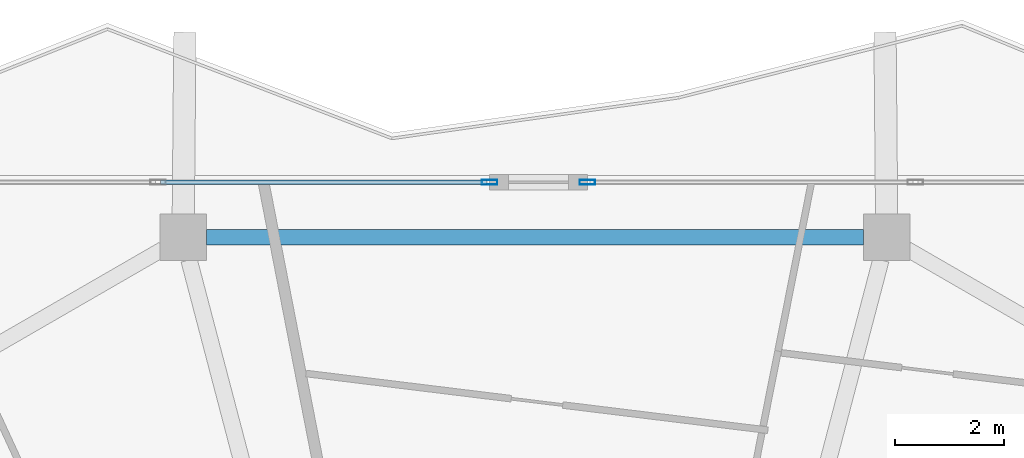
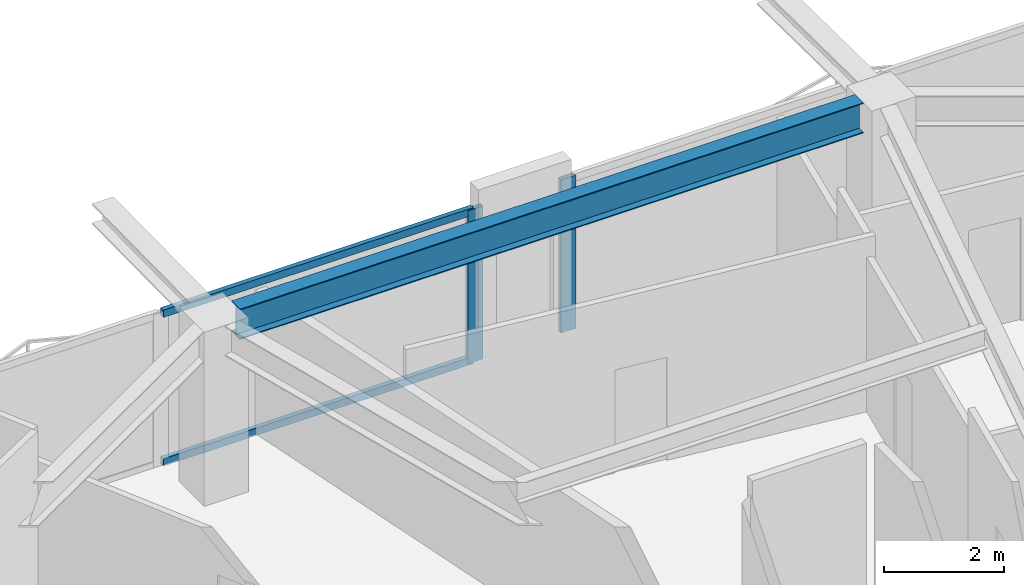
# One storey, part 14 of 27: 4 members, 1 beam, 2 elements without a shape of their own.
"""IFC4 building model written with IfcOpenShell, lengths in metres."""

from ifc_helpers import new_model, si_unit, direction, frame, origin, origin_2d, place, context, subcontext, project, spatial, hollow_rectangle, i_section, extrude, material, material_profile, profile_set, type_object, element, aggregate, save


model = new_model("IFC4")

# Units and contexts
model_context = context("Model", 3, precision=1e-05, world=origin(), true_north=direction((0.0, 1.0)))
body_context = subcontext(model_context, "Body", "Model", "MODEL_VIEW")
ifc_project = project(units=[si_unit("LENGTHUNIT", "METRE"), si_unit("AREAUNIT", "SQUARE_METRE"), si_unit("VOLUMEUNIT", "CUBIC_METRE"), si_unit("PLANEANGLEUNIT", "RADIAN"), si_unit("MASSUNIT", "GRAM", prefix="KILO")], contexts=[model_context])

# Site, building, storey
site_placement = place(None, origin())
site = spatial("IfcSite", under=ifc_project, at=site_placement, CompositionType="ELEMENT")
building_placement = place(site_placement, origin())
building = spatial("IfcBuilding", under=site, at=building_placement, Name="Zuhravey Tower", CompositionType="ELEMENT")
storey_placement = place(building_placement, frame((0.0, 0.0, 265.39990234375)))
storey = spatial("IfcBuildingStorey", under=building, at=storey_placement, Name="L67", CompositionType="ELEMENT", Elevation=265.39990234375)

# Curtain wall, member
ifc_material_1 = material(Name="Thermally broken anodised aluminium", Category="aluminium")
curtain_wall_type = type_object("IfcCurtainWallType", Name="Zone 3-4 High-Rise Curtain Wall CW4", PredefinedType="NOTDEFINED", material=ifc_material_1)
curtain_wall_1_placement = place(storey_placement, origin())
curtain_wall_1 = element("IfcCurtainWall", 1, at=curtain_wall_1_placement, inside=storey, type_object=curtain_wall_type, Name="L67 CW4 CW-L67-F2-1", PredefinedType="NOTDEFINED")
ifc_material_2 = material(Name="Anodised aluminium", Category="aluminium")
ifc_material_profile_1 = material_profile(ifc_material_2, hollow_rectangle(XDim=0.090087890625, YDim=0.284912109375, WallThickness=0.0048828125, at=origin_2d()), Name="ALU-RHS-90x285x5")
ifc_profile_set_1 = profile_set([ifc_material_profile_1], Name="Anodised aluminium")
member_type_1 = type_object("IfcMemberType", Name="Curtain-Wall Mullion 90x180", PredefinedType="MULLION", material=ifc_profile_set_1)
member_1_placement = place(storey_placement, frame((35.17138671875, 57.563720703125, 0.0), z_axis=(0.0, 0.0, 1.0), x_axis=(0.0, 1.0, 0.0)))
member_1 = element("IfcMember", 2, at=member_1_placement, type_object=member_type_1, Name="CW4 mullion 3", PredefinedType="MULLION", context=body_context, shape_type="SweptSolid", body=[
    extrude(hollow_rectangle(XDim=0.090087890625, YDim=0.284912109375, WallThickness=0.0048828125, at=origin_2d()), origin(), (0.0, 0.0, 1.0), 3.1220703125),
])

curtain_wall_2_placement = place(storey_placement, origin())
curtain_wall_2 = element("IfcCurtainWall", 3, at=curtain_wall_2_placement, inside=storey, type_object=curtain_wall_type, Name="L67 CW4 CW-L67-F2-2", PredefinedType="NOTDEFINED")
member_2_placement = place(storey_placement, frame((36.96142578125, 57.563720703125, 0.0), z_axis=(0.0, 0.0, 1.0), x_axis=(0.0, 1.0, 0.0)))
member_2 = element("IfcMember", 4, at=member_2_placement, type_object=member_type_1, Name="CW4 mullion 1", PredefinedType="MULLION", context=body_context, shape_type="SweptSolid", body=[
    extrude(hollow_rectangle(XDim=0.090087890625, YDim=0.284912109375, WallThickness=0.0048828125, at=origin_2d()), origin(), (0.0, 0.0, 1.0), 3.1220703125),
])
aggregate(curtain_wall_2, [member_2])

# Member
ifc_material_profile_2 = material_profile(ifc_material_2, hollow_rectangle(XDim=0.090087890625, YDim=0.14990234375, WallThickness=0.0048828125, at=origin_2d()), Name="ALU-RHS-90x150x5")
ifc_profile_set_2 = profile_set([ifc_material_profile_2], Name="Anodised aluminium")
member_type_2 = type_object("IfcMemberType", Name="Curtain-Wall Transom 90x150", PredefinedType="USERDEFINED", material=ifc_profile_set_2)
member_3_placement = place(storey_placement, frame((29.14697265625, 57.563720703125, 0.045166015625), z_axis=(1.0, 0.0, 0.0), x_axis=(0.0, 1.0, 0.0)))
member_3 = element("IfcMember", 5, at=member_3_placement, type_object=member_type_2, Name="CW4 transom 2.1", ObjectType="TRANSOM", PredefinedType="USERDEFINED", context=body_context, shape_type="SweptSolid", body=[
    extrude(hollow_rectangle(XDim=0.090087890625, YDim=0.14990234375, WallThickness=0.0048828125, at=origin_2d()), origin(), (0.0, 0.0, 1.0), 5.9794921875),
])

member_4_placement = place(storey_placement, frame((29.14697265625, 57.563720703125, 3.0771484375), z_axis=(1.0, 0.0, 0.0), x_axis=(0.0, 1.0, 0.0)))
member_4 = element("IfcMember", 6, at=member_4_placement, type_object=member_type_2, Name="CW4 transom 2.2", ObjectType="TRANSOM", PredefinedType="USERDEFINED", context=body_context, shape_type="SweptSolid", body=[
    extrude(hollow_rectangle(XDim=0.090087890625, YDim=0.14990234375, WallThickness=0.0048828125, at=origin_2d()), origin(), (0.0, 0.0, 1.0), 5.9794921875),
])

aggregate(curtain_wall_1, [member_1, member_3, member_4])

# Beam
ifc_material_3 = material(Name="Steel SM355", Category="steel")
ifc_material_profile_3 = material_profile(ifc_material_3, i_section(OverallWidth=0.280029296875, OverallDepth=0.6201171875, WebThickness=0.011962890625, FlangeThickness=0.02001953125, at=origin_2d()), Name="H-620x280x12x20")
ifc_profile_set_3 = profile_set([ifc_material_profile_3], Name="Steel SM355")
beam_type = type_object("IfcBeamType", Name="Perimeter Ring Beam H620x280", PredefinedType="BEAM", material=ifc_profile_set_3)
beam_placement = place(storey_placement, frame((42.012939453125, 56.5537109375, 3.239990234375), z_axis=(-1.0, 0.0, 0.0), x_axis=(0.0, -1.0, 0.0)))
element("IfcBeam", 7, at=beam_placement, inside=storey, type_object=beam_type, Name="L67 PB3 BM-L67-PB-03", PredefinedType="BEAM", context=body_context, shape_type="SweptSolid", body=[
    extrude(i_section(OverallWidth=0.280029296875, OverallDepth=0.6201171875, WebThickness=0.011962890625, FlangeThickness=0.02001953125, at=origin_2d()), origin(), (0.0, 0.0, 1.0), 12.02587890625),
])

save(model, "model.ifc")
